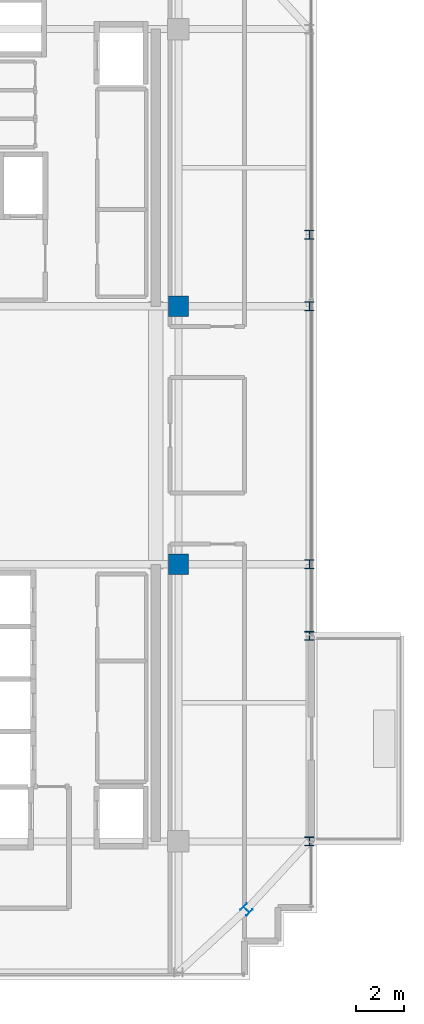
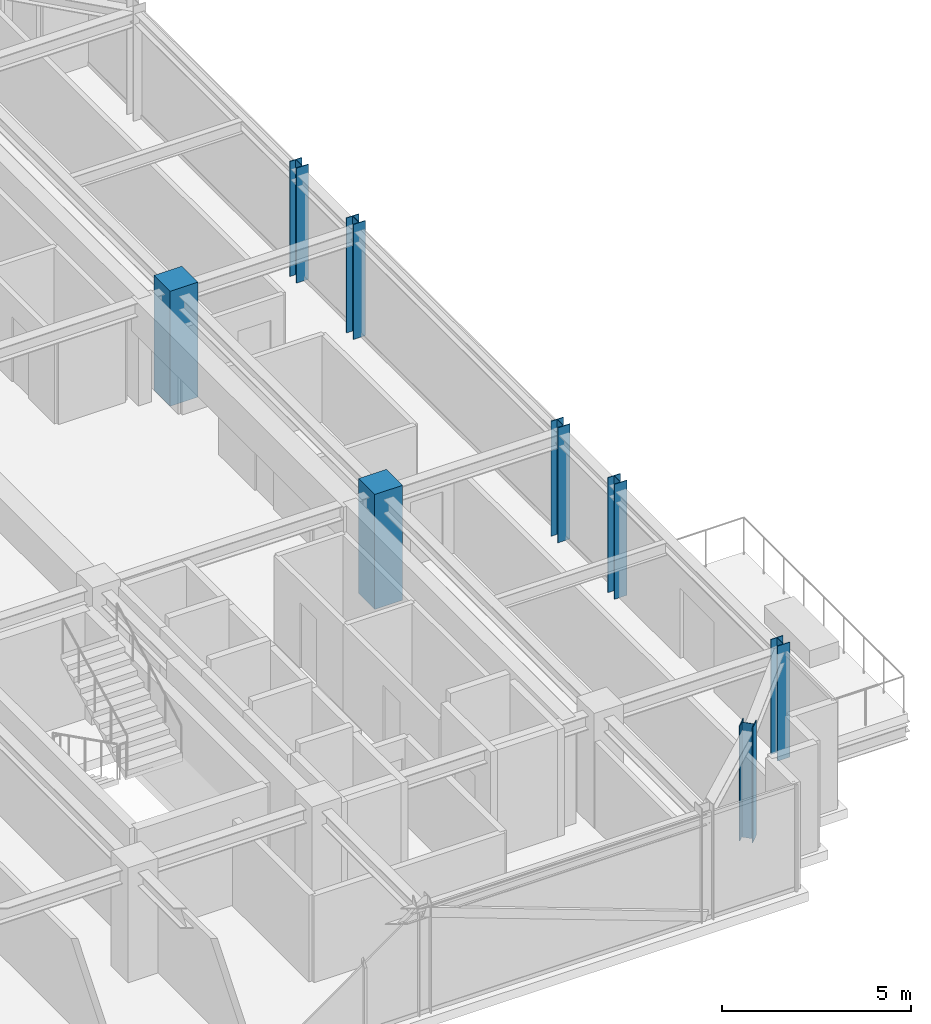
# One storey, part 2 of 31: 8 columns.
"""IFC4 building model written with IfcOpenShell, lengths in metres."""

from ifc_helpers import new_model, si_unit, direction, frame, origin, origin_2d, place, context, subcontext, project, spatial, rectangle, i_section, extrude, source, transform, mapped, material, material_profile, profile_set, type_object, element, save


model = new_model("IFC4")

# Units and contexts
model_context = context("Model", 3, precision=1e-05, world=origin(), true_north=direction((0.0, 1.0)))
body_context = subcontext(model_context, "Body", "Model", "MODEL_VIEW")
ifc_project = project(units=[si_unit("LENGTHUNIT", "METRE"), si_unit("AREAUNIT", "SQUARE_METRE"), si_unit("VOLUMEUNIT", "CUBIC_METRE"), si_unit("PLANEANGLEUNIT", "RADIAN"), si_unit("MASSUNIT", "GRAM", prefix="KILO")], contexts=[model_context])

# Site, building, storey
site_placement = place(None, origin())
site = spatial("IfcSite", under=ifc_project, at=site_placement, CompositionType="ELEMENT")
building_placement = place(site_placement, origin())
building = spatial("IfcBuilding", under=site, at=building_placement, Name="Nahalor Promenade Grand Hotel", CompositionType="ELEMENT")
storey_placement = place(building_placement, frame((0.0, 0.0, 281.300048828125)))
storey = spatial("IfcBuildingStorey", under=building, at=storey_placement, Name="L72", CompositionType="ELEMENT", Elevation=281.300048828125)

# Columns
ifc_material_1 = material(Name="Concrete B-70 (C60/75)", Category="concrete")
ifc_material_profile_1 = material_profile(ifc_material_1, rectangle(XDim=0.85, YDim=0.85, at=origin_2d()), Name="RC 850x850")
ifc_profile_set_1 = profile_set([ifc_material_profile_1], Name="Concrete B-70 (C60/75)")
column_type_1 = type_object("IfcColumnType", Name="Col-Pilaster-850", PredefinedType="PILASTER", material=ifc_profile_set_1)
shared_shape_1 = source(origin(), body_context, "Body", "SweptSolid", [
    extrude(rectangle(XDim=0.85, YDim=0.85, at=origin_2d()), origin(), (0.0, 0.0, 1.0), 3.704833984375),
])
for number, where, z_axis, x_axis, name in (
    (1, (17.0, -5.39990234375, 0.0), (0.0, 0.0, 1.0), (1.0, 0.0, 0.0), "COL-L72-I51"),
    (2, (17.0, 5.39990234375, 0.0), (0.0, 0.0, 1.0), (1.0, 0.0, 0.0), "COL-L72-I52"),
):
    element("IfcColumn", number, at=place(storey_placement, frame(where, z_axis=z_axis, x_axis=x_axis)), inside=storey, type_object=column_type_1, Name=name, PredefinedType="PILASTER", context=body_context, shape_type="MappedRepresentation", body=[
        mapped(shared_shape_1, transform((0.0, 0.0, 0.0), scale=1.0)),
    ])
ifc_material_2 = material(Name="Steel S355JR", Category="steel")
ifc_material_profile_2 = material_profile(ifc_material_2, i_section(OverallWidth=0.374, OverallDepth=0.374, WebThickness=0.0144, FlangeThickness=0.0229, at=origin_2d()), Name="HD 360x262")
ifc_profile_set_2 = profile_set([ifc_material_profile_2], Name="Steel S355JR")
column_type_2 = type_object("IfcColumnType", Name="Col-Steel-HD262", PredefinedType="COLUMN", material=ifc_profile_set_2)
shared_shape_2 = source(origin(), body_context, "Body", "SweptSolid", [
    extrude(i_section(OverallWidth=0.374, OverallDepth=0.374, WebThickness=0.0144, FlangeThickness=0.0229, at=origin_2d()), origin(), (0.0, 0.0, 1.0), 3.704833984375),
])
for number, where, z_axis, x_axis, name in (
    (3, (22.47998046875, -17.0, 0.0), (0.0, 0.0, 1.0), (1.0, 0.0, 0.0), "COL-L72-PW-E0"),
    (4, (22.47998046875, -8.39990234375, 0.0), (0.0, 0.0, 1.0), (1.0, 0.0, 0.0), "COL-L72-PW-E1"),
    (5, (22.47998046875, -5.39990234375, 0.0), (0.0, 0.0, 1.0), (1.0, 0.0, 0.0), "COL-L72-PW-E2"),
    (6, (22.47998046875, 5.39990234375, 0.0), (0.0, 0.0, 1.0), (1.0, 0.0, 0.0), "COL-L72-PW-E3"),
    (7, (22.47998046875, 8.39990234375, 0.0), (0.0, 0.0, 1.0), (1.0, 0.0, 0.0), "COL-L72-PW-E4"),
    (8, (19.85009765625, -19.85009765625, 0.0), (0.0, 0.0, 1.0), (0.707106781187, 0.707106781187, 0.0), "COL-L72-CRN-SE"),
):
    element("IfcColumn", number, at=place(storey_placement, frame(where, z_axis=z_axis, x_axis=x_axis)), inside=storey, type_object=column_type_2, Name=name, PredefinedType="COLUMN", context=body_context, shape_type="MappedRepresentation", body=[
        mapped(shared_shape_2, transform((0.0, 0.0, 0.0), scale=1.0)),
    ])

save(model, "model.ifc")
